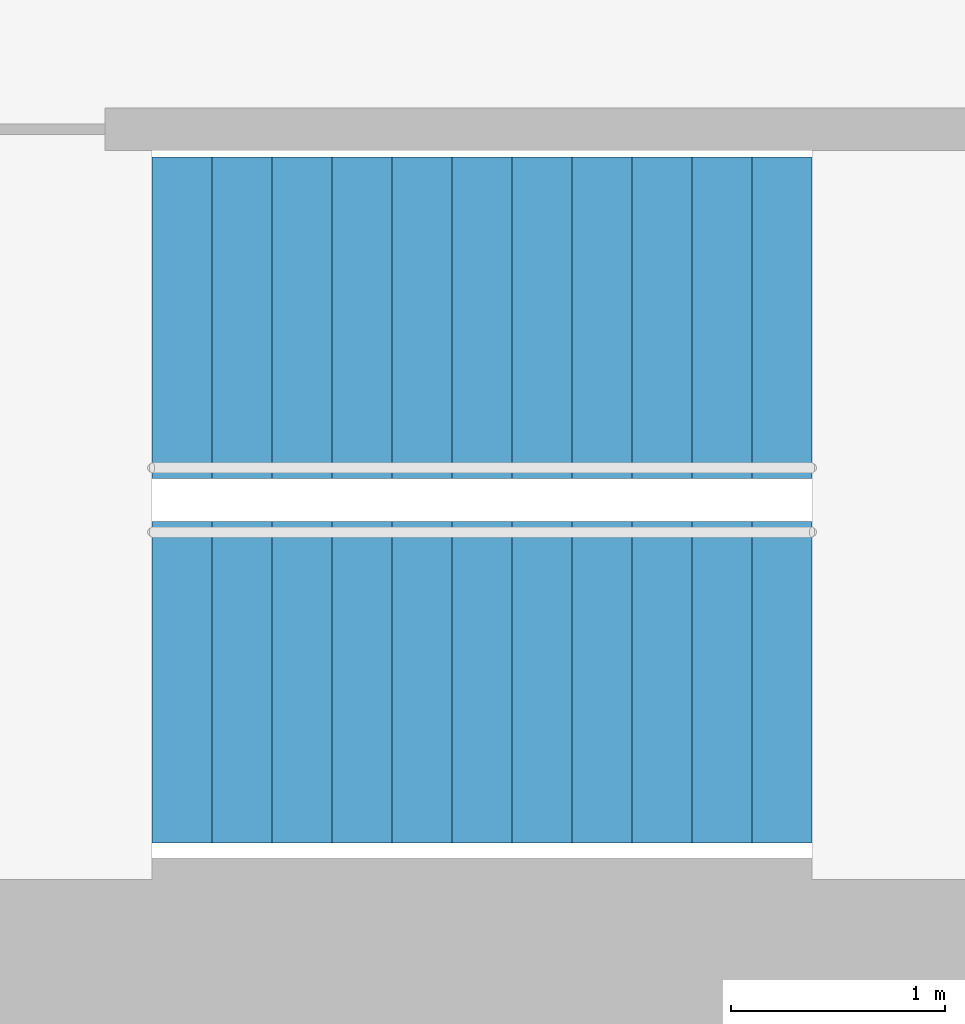
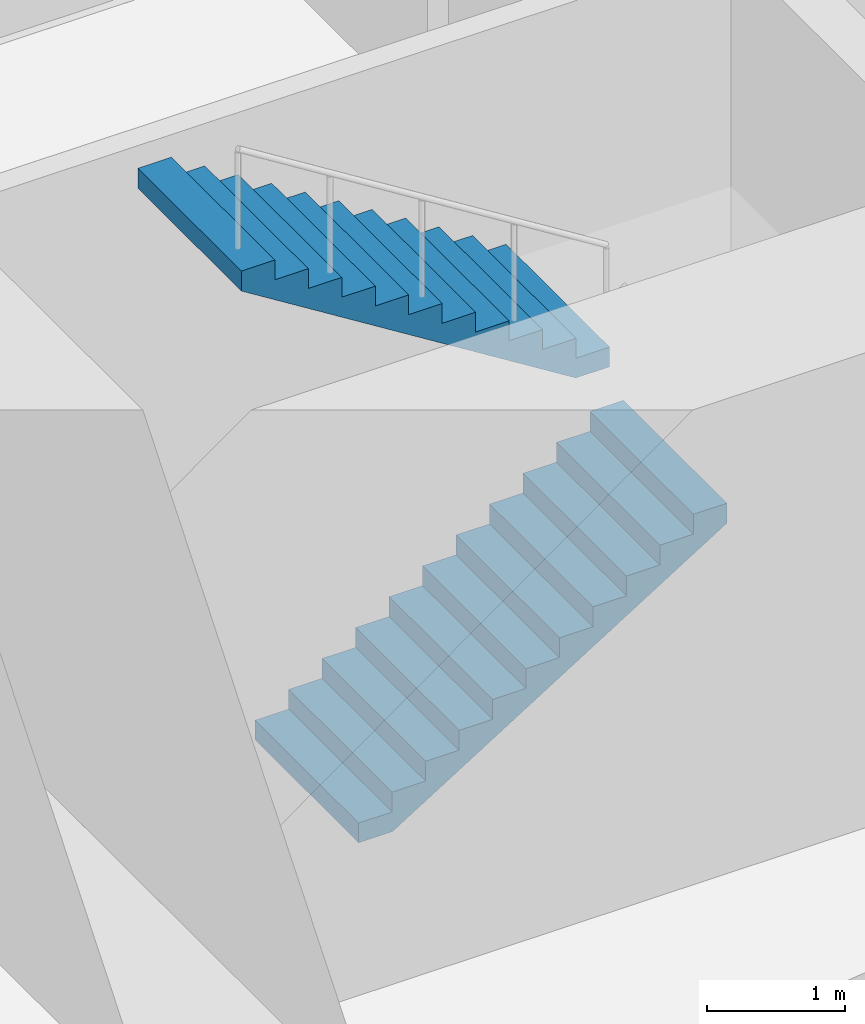
# One storey, part 16 of 18: 2 stair flights, 1 element without a shape of its own.
"""IFC4 building model written with IfcOpenShell, lengths in metres."""

from ifc_helpers import new_model, si_unit, direction, frame, origin, place, context, subcontext, project, spatial, triangles, material, type_object, element, aggregate, save


model = new_model("IFC4")

# Units and contexts
model_context = context("Model", 3, precision=1e-05, world=origin(), true_north=direction((0.0, 1.0)))
body_context = subcontext(model_context, "Body", "Model", "MODEL_VIEW")
ifc_project = project(units=[si_unit("LENGTHUNIT", "METRE"), si_unit("AREAUNIT", "SQUARE_METRE"), si_unit("VOLUMEUNIT", "CUBIC_METRE"), si_unit("PLANEANGLEUNIT", "RADIAN"), si_unit("MASSUNIT", "GRAM", prefix="KILO")], contexts=[model_context])

# Site, building, storey
site_placement = place(None, origin())
site = spatial("IfcSite", under=ifc_project, at=site_placement, CompositionType="ELEMENT")
building_placement = place(site_placement, origin())
building = spatial("IfcBuilding", under=site, at=building_placement, Name="Lantaw Convention Tower", CompositionType="ELEMENT")
storey_placement = place(building_placement, frame((0.0, 0.0, 130.0)))
storey = spatial("IfcBuildingStorey", under=building, at=storey_placement, Name="L30", CompositionType="ELEMENT", Elevation=130.0)

# Stair, stair flights
ifc_material = material(Name="Concrete C35/45", Category="concrete")
stair_type = type_object("IfcStairType", Name="Exit stair 1500 riser 175 in 2 flights", PredefinedType="HALF_TURN_STAIR", material=ifc_material)
stair_placement = place(storey_placement, origin())
stair = element("IfcStair", 1, at=stair_placement, inside=storey, type_object=stair_type, Name="Exit stair S1 L30", PredefinedType="HALF_TURN_STAIR")
stair_flight_type = type_object("IfcStairFlightType", Name="Stair flight 1500 riser 175", PredefinedType="STRAIGHT", material=ifc_material)
stair_flight_1_placement = place(storey_placement, frame((-10.580078125, -5.97998046875, 0.0), z_axis=(0.0, 0.0, 1.0), x_axis=(1.0, 0.0, 0.0)))
stair_flight_1 = element("IfcStairFlight", 2, at=stair_flight_1_placement, type_object=stair_flight_type, Name="S1 flight 1", NumberOfRisers=12, NumberOfTreads=11, PredefinedType="STRAIGHT", RiserHeight=0.175, TreadLength=0.28, context=body_context, shape_type="Tessellation", body=[
    triangles([(0.0, 0.75, 0.0), (0.0, 0.75, 0.175), (0.28, 0.75, 0.0), (0.28, 0.75, 0.175), (0.28, 0.75, 0.35), (0.28283517651771284, 0.75, 0.0), (0.28283517651771284, 0.75, 0.35), (0.56, 0.75, 0.17322801467642948), (0.56, 0.75, 0.35), (0.56, 0.75, 0.5249999999999999), (0.8400000000000001, 0.75, 0.34822801467642944), (0.8400000000000001, 0.75, 0.5249999999999999), (0.8400000000000001, 0.75, 0.7), (1.12, 0.75, 0.5232280146764294), (1.12, 0.75, 0.7), (1.12, 0.75, 0.875), (1.4000000000000001, 0.75, 0.6982280146764295), (1.4000000000000001, 0.75, 0.875), (1.4000000000000001, 0.75, 1.0499999999999998), (1.6800000000000002, 0.75, 0.8732280146764294), (1.6800000000000002, 0.75, 1.0499999999999998), (1.6800000000000002, 0.75, 1.2249999999999999), (1.9600000000000002, 0.75, 1.0482280146764293), (1.9600000000000002, 0.75, 1.2249999999999999), (1.9600000000000002, 0.75, 1.4), (2.24, 0.75, 1.2232280146764294), (2.24, 0.75, 1.4), (2.24, 0.75, 1.575), (2.5200000000000005, 0.75, 1.3982280146764294), (2.5200000000000005, 0.75, 1.575), (2.5200000000000005, 0.75, 1.75), (2.8000000000000003, 0.75, 1.5732280146764293), (2.8000000000000003, 0.75, 1.75), (2.8000000000000003, 0.75, 1.9249999999999998), (3.08, 0.75, 1.7482280146764293), (3.08, 0.75, 1.9249999999999998), (0.0, -0.75, 0.0), (0.0, -0.75, 0.175), (0.28, -0.75, 0.0), (0.28, -0.75, 0.175), (0.28, -0.75, 0.35), (0.28283517651771284, -0.75, 0.0), (0.28283517651771284, -0.75, 0.35), (0.56, -0.75, 0.17322801467642948), (0.56, -0.75, 0.35), (0.56, -0.75, 0.5249999999999999), (0.8400000000000001, -0.75, 0.34822801467642944), (0.8400000000000001, -0.75, 0.5249999999999999), (0.8400000000000001, -0.75, 0.7), (1.12, -0.75, 0.5232280146764294), (1.12, -0.75, 0.7), (1.12, -0.75, 0.875), (1.4000000000000001, -0.75, 0.6982280146764295), (1.4000000000000001, -0.75, 0.875), (1.4000000000000001, -0.75, 1.0499999999999998), (1.6800000000000002, -0.75, 0.8732280146764294), (1.6800000000000002, -0.75, 1.0499999999999998), (1.6800000000000002, -0.75, 1.2249999999999999), (1.9600000000000002, -0.75, 1.0482280146764293), (1.9600000000000002, -0.75, 1.2249999999999999), (1.9600000000000002, -0.75, 1.4), (2.24, -0.75, 1.2232280146764294), (2.24, -0.75, 1.4), (2.24, -0.75, 1.575), (2.5200000000000005, -0.75, 1.3982280146764294), (2.5200000000000005, -0.75, 1.575), (2.5200000000000005, -0.75, 1.75), (2.8000000000000003, -0.75, 1.5732280146764293), (2.8000000000000003, -0.75, 1.75), (2.8000000000000003, -0.75, 1.9249999999999998), (3.08, -0.75, 1.7482280146764293), (3.08, -0.75, 1.9249999999999998), (0.0, 0.15000000000000002, 0.175), (0.0, 0.15000000000000002, 0.0), (0.0, 0.0, 0.175), (0.0, 0.0, 0.0), (0.0, -0.15000000000000002, 0.175), (0.0, -0.15000000000000002, 0.0), (0.28, 0.15000000000000002, 0.35), (0.28, 0.15000000000000002, 0.175), (0.28, 0.0, 0.35), (0.28, 0.0, 0.175), (0.28, -0.15000000000000002, 0.35), (0.28, -0.15000000000000002, 0.175), (0.56, 0.15000000000000002, 0.5249999999999999), (0.56, 0.15000000000000002, 0.35), (0.56, 0.0, 0.5249999999999999), (0.56, 0.0, 0.35), (0.56, -0.15000000000000002, 0.5249999999999999), (0.56, -0.15000000000000002, 0.35), (0.8400000000000001, 0.15000000000000002, 0.7), (0.8400000000000001, 0.15000000000000002, 0.5249999999999999), (0.8400000000000001, 0.0, 0.7), (0.8400000000000001, 0.0, 0.5249999999999999), (0.8400000000000001, -0.15000000000000002, 0.7), (0.8400000000000001, -0.15000000000000002, 0.5249999999999999), (1.12, 0.15000000000000002, 0.875), (1.12, 0.15000000000000002, 0.7), (1.12, 0.0, 0.875), (1.12, 0.0, 0.7), (1.12, -0.15000000000000002, 0.875), (1.12, -0.15000000000000002, 0.7), (1.4000000000000001, 0.15000000000000002, 1.0499999999999998), (1.4000000000000001, 0.15000000000000002, 0.875), (1.4000000000000001, 0.0, 1.0499999999999998), (1.4000000000000001, 0.0, 0.875), (1.4000000000000001, -0.15000000000000002, 1.0499999999999998), (1.4000000000000001, -0.15000000000000002, 0.875), (1.6800000000000002, 0.15000000000000002, 1.2249999999999999), (1.6800000000000002, 0.15000000000000002, 1.0499999999999998), (1.6800000000000002, 0.0, 1.2249999999999999), (1.6800000000000002, 0.0, 1.0499999999999998), (1.6800000000000002, -0.15000000000000002, 1.2249999999999999), (1.6800000000000002, -0.15000000000000002, 1.0499999999999998), (1.9600000000000002, 0.15000000000000002, 1.4), (1.9600000000000002, 0.15000000000000002, 1.2249999999999999), (1.9600000000000002, 0.0, 1.4), (1.9600000000000002, 0.0, 1.2249999999999999), (1.9600000000000002, -0.15000000000000002, 1.4), (1.9600000000000002, -0.15000000000000002, 1.2249999999999999), (2.24, 0.15000000000000002, 1.575), (2.24, 0.15000000000000002, 1.4), (2.24, 0.0, 1.575), (2.24, 0.0, 1.4), (2.24, -0.15000000000000002, 1.575), (2.24, -0.15000000000000002, 1.4), (2.5200000000000005, 0.15000000000000002, 1.75), (2.5200000000000005, 0.15000000000000002, 1.575), (2.5200000000000005, 0.0, 1.75), (2.5200000000000005, 0.0, 1.575), (2.5200000000000005, -0.15000000000000002, 1.75), (2.5200000000000005, -0.15000000000000002, 1.575), (2.8000000000000003, 0.15000000000000002, 1.9249999999999998), (2.8000000000000003, 0.15000000000000002, 1.75), (2.8000000000000003, 0.0, 1.9249999999999998), (2.8000000000000003, 0.0, 1.75), (2.8000000000000003, -0.15000000000000002, 1.9249999999999998), (2.8000000000000003, -0.15000000000000002, 1.75), (0.28283517651771284, 0.15000000000000002, 0.35), (0.28283517651771284, 0.0, 0.35), (0.28283517651771284, -0.15000000000000002, 0.35), (3.08, 0.15000000000000002, 1.9249999999999998), (3.08, 0.0, 1.9249999999999998), (3.08, -0.15000000000000002, 1.9249999999999998), (3.08, 0.15000000000000002, 1.7482280146764293), (3.08, 0.0, 1.7482280146764293), (3.08, -0.15000000000000002, 1.7482280146764293), (2.8000000000000003, 0.15000000000000002, 1.5732280146764293), (2.8000000000000003, 0.0, 1.5732280146764293), (2.8000000000000003, -0.15000000000000002, 1.5732280146764293), (2.5200000000000005, 0.15000000000000002, 1.3982280146764294), (2.5200000000000005, 0.0, 1.3982280146764294), (2.5200000000000005, -0.15000000000000002, 1.3982280146764294), (2.24, 0.15000000000000002, 1.2232280146764294), (2.24, 0.0, 1.2232280146764294), (2.24, -0.15000000000000002, 1.2232280146764294), (1.9600000000000002, 0.15000000000000002, 1.0482280146764293), (1.9600000000000002, 0.0, 1.0482280146764293), (1.9600000000000002, -0.15000000000000002, 1.0482280146764293), (1.6800000000000002, 0.15000000000000002, 0.8732280146764294), (1.6800000000000002, 0.0, 0.8732280146764294), (1.6800000000000002, -0.15000000000000002, 0.8732280146764294), (1.4000000000000001, 0.15000000000000002, 0.6982280146764295), (1.4000000000000001, 0.0, 0.6982280146764295), (1.4000000000000001, -0.15000000000000002, 0.6982280146764295), (1.12, 0.15000000000000002, 0.5232280146764294), (1.12, 0.0, 0.5232280146764294), (1.12, -0.15000000000000002, 0.5232280146764294), (0.8400000000000001, 0.15000000000000002, 0.34822801467642944), (0.8400000000000001, 0.0, 0.34822801467642944), (0.8400000000000001, -0.15000000000000002, 0.34822801467642944), (0.56, 0.15000000000000002, 0.17322801467642948), (0.56, 0.0, 0.17322801467642948), (0.56, -0.15000000000000002, 0.17322801467642948), (0.28283517651771284, 0.15000000000000002, 0.0), (0.28283517651771284, 0.0, 0.0), (0.28283517651771284, -0.15000000000000002, 0.0), (0.28, 0.15000000000000002, 0.0), (0.28, 0.0, 0.0), (0.28, -0.15000000000000002, 0.0)], [[1, 4, 3], [1, 2, 4], [3, 4, 6], [4, 7, 6], [4, 5, 7], [6, 9, 8], [6, 7, 9], [8, 9, 11], [9, 12, 11], [9, 10, 12], [11, 12, 14], [12, 15, 14], [12, 13, 15], [14, 15, 17], [15, 18, 17], [15, 16, 18], [17, 18, 20], [18, 21, 20], [18, 19, 21], [20, 21, 23], [21, 24, 23], [21, 22, 24], [23, 24, 26], [24, 27, 26], [24, 25, 27], [26, 27, 29], [27, 30, 29], [27, 28, 30], [29, 30, 32], [30, 33, 32], [30, 31, 33], [32, 33, 35], [33, 36, 35], [33, 34, 36], [37, 39, 40], [37, 40, 38], [39, 42, 40], [40, 42, 43], [40, 43, 41], [42, 44, 45], [42, 45, 43], [44, 47, 45], [45, 47, 48], [45, 48, 46], [47, 50, 48], [48, 50, 51], [48, 51, 49], [50, 53, 51], [51, 53, 54], [51, 54, 52], [53, 56, 54], [54, 56, 57], [54, 57, 55], [56, 59, 57], [57, 59, 60], [57, 60, 58], [59, 62, 60], [60, 62, 63], [60, 63, 61], [62, 65, 63], [63, 65, 66], [63, 66, 64], [65, 68, 66], [66, 68, 69], [66, 69, 67], [68, 71, 69], [69, 71, 72], [69, 72, 70], [1, 73, 2], [1, 74, 73], [74, 75, 73], [74, 76, 75], [76, 77, 75], [76, 78, 77], [78, 38, 77], [78, 37, 38], [4, 79, 5], [4, 80, 79], [80, 81, 79], [80, 82, 81], [82, 83, 81], [82, 84, 83], [84, 41, 83], [84, 40, 41], [9, 85, 10], [9, 86, 85], [86, 87, 85], [86, 88, 87], [88, 89, 87], [88, 90, 89], [90, 46, 89], [90, 45, 46], [12, 91, 13], [12, 92, 91], [92, 93, 91], [92, 94, 93], [94, 95, 93], [94, 96, 95], [96, 49, 95], [96, 48, 49], [15, 97, 16], [15, 98, 97], [98, 99, 97], [98, 100, 99], [100, 101, 99], [100, 102, 101], [102, 52, 101], [102, 51, 52], [18, 103, 19], [18, 104, 103], [104, 105, 103], [104, 106, 105], [106, 107, 105], [106, 108, 107], [108, 55, 107], [108, 54, 55], [21, 109, 22], [21, 110, 109], [110, 111, 109], [110, 112, 111], [112, 113, 111], [112, 114, 113], [114, 58, 113], [114, 57, 58], [24, 115, 25], [24, 116, 115], [116, 117, 115], [116, 118, 117], [118, 119, 117], [118, 120, 119], [120, 61, 119], [120, 60, 61], [27, 121, 28], [27, 122, 121], [122, 123, 121], [122, 124, 123], [124, 125, 123], [124, 126, 125], [126, 64, 125], [126, 63, 64], [30, 127, 31], [30, 128, 127], [128, 129, 127], [128, 130, 129], [130, 131, 129], [130, 132, 131], [132, 67, 131], [132, 66, 67], [33, 133, 34], [33, 134, 133], [134, 135, 133], [134, 136, 135], [136, 137, 135], [136, 138, 137], [138, 70, 137], [138, 69, 70], [2, 80, 4], [2, 73, 80], [73, 82, 80], [73, 75, 82], [75, 84, 82], [75, 77, 84], [77, 40, 84], [77, 38, 40], [5, 139, 7], [5, 79, 139], [79, 140, 139], [79, 81, 140], [81, 141, 140], [81, 83, 141], [83, 43, 141], [83, 41, 43], [7, 86, 9], [7, 139, 86], [139, 88, 86], [139, 140, 88], [140, 90, 88], [140, 141, 90], [141, 45, 90], [141, 43, 45], [10, 92, 12], [10, 85, 92], [85, 94, 92], [85, 87, 94], [87, 96, 94], [87, 89, 96], [89, 48, 96], [89, 46, 48], [13, 98, 15], [13, 91, 98], [91, 100, 98], [91, 93, 100], [93, 102, 100], [93, 95, 102], [95, 51, 102], [95, 49, 51], [16, 104, 18], [16, 97, 104], [97, 106, 104], [97, 99, 106], [99, 108, 106], [99, 101, 108], [101, 54, 108], [101, 52, 54], [19, 110, 21], [19, 103, 110], [103, 112, 110], [103, 105, 112], [105, 114, 112], [105, 107, 114], [107, 57, 114], [107, 55, 57], [22, 116, 24], [22, 109, 116], [109, 118, 116], [109, 111, 118], [111, 120, 118], [111, 113, 120], [113, 60, 120], [113, 58, 60], [25, 122, 27], [25, 115, 122], [115, 124, 122], [115, 117, 124], [117, 126, 124], [117, 119, 126], [119, 63, 126], [119, 61, 63], [28, 128, 30], [28, 121, 128], [121, 130, 128], [121, 123, 130], [123, 132, 130], [123, 125, 132], [125, 66, 132], [125, 64, 66], [31, 134, 33], [31, 127, 134], [127, 136, 134], [127, 129, 136], [129, 138, 136], [129, 131, 138], [131, 69, 138], [131, 67, 69], [34, 142, 36], [34, 133, 142], [133, 143, 142], [133, 135, 143], [135, 144, 143], [135, 137, 144], [137, 72, 144], [137, 70, 72], [36, 145, 35], [36, 142, 145], [142, 146, 145], [142, 143, 146], [143, 147, 146], [143, 144, 147], [144, 71, 147], [144, 72, 71], [35, 148, 32], [35, 145, 148], [145, 149, 148], [145, 146, 149], [146, 150, 149], [146, 147, 150], [147, 68, 150], [147, 71, 68], [32, 151, 29], [32, 148, 151], [148, 152, 151], [148, 149, 152], [149, 153, 152], [149, 150, 153], [150, 65, 153], [150, 68, 65], [29, 154, 26], [29, 151, 154], [151, 155, 154], [151, 152, 155], [152, 156, 155], [152, 153, 156], [153, 62, 156], [153, 65, 62], [26, 157, 23], [26, 154, 157], [154, 158, 157], [154, 155, 158], [155, 159, 158], [155, 156, 159], [156, 59, 159], [156, 62, 59], [23, 160, 20], [23, 157, 160], [157, 161, 160], [157, 158, 161], [158, 162, 161], [158, 159, 162], [159, 56, 162], [159, 59, 56], [20, 163, 17], [20, 160, 163], [160, 164, 163], [160, 161, 164], [161, 165, 164], [161, 162, 165], [162, 53, 165], [162, 56, 53], [17, 166, 14], [17, 163, 166], [163, 167, 166], [163, 164, 167], [164, 168, 167], [164, 165, 168], [165, 50, 168], [165, 53, 50], [14, 169, 11], [14, 166, 169], [166, 170, 169], [166, 167, 170], [167, 171, 170], [167, 168, 171], [168, 47, 171], [168, 50, 47], [11, 172, 8], [11, 169, 172], [169, 173, 172], [169, 170, 173], [170, 174, 173], [170, 171, 174], [171, 44, 174], [171, 47, 44], [8, 175, 6], [8, 172, 175], [172, 176, 175], [172, 173, 176], [173, 177, 176], [173, 174, 177], [174, 42, 177], [174, 44, 42], [6, 178, 3], [6, 175, 178], [175, 179, 178], [175, 176, 179], [176, 180, 179], [176, 177, 180], [177, 39, 180], [177, 42, 39], [3, 74, 1], [3, 178, 74], [178, 76, 74], [178, 179, 76], [179, 78, 76], [179, 180, 78], [180, 37, 78], [180, 39, 37]], closed=True),
])
stair_flight_2_placement = place(storey_placement, frame((-7.5, -4.280029296875, 2.10009765625), z_axis=(0.0, 0.0, 1.0), x_axis=(-1.0, 0.0, 0.0)))
stair_flight_2 = element("IfcStairFlight", 3, at=stair_flight_2_placement, type_object=stair_flight_type, Name="S1 flight 2", NumberOfRisers=12, NumberOfTreads=11, PredefinedType="STRAIGHT", RiserHeight=0.175, TreadLength=0.28, context=body_context, shape_type="Tessellation", body=[
    triangles([(0.0, 0.75, 0.0), (0.0, 0.75, 0.175), (0.28, 0.75, 0.0), (0.28, 0.75, 0.175), (0.28, 0.75, 0.35), (0.28283517651771284, 0.75, 0.0), (0.28283517651771284, 0.75, 0.35), (0.56, 0.75, 0.17322801467642948), (0.56, 0.75, 0.35), (0.56, 0.75, 0.5249999999999999), (0.8400000000000001, 0.75, 0.34822801467642944), (0.8400000000000001, 0.75, 0.5249999999999999), (0.8400000000000001, 0.75, 0.7), (1.12, 0.75, 0.5232280146764294), (1.12, 0.75, 0.7), (1.12, 0.75, 0.875), (1.4000000000000001, 0.75, 0.6982280146764295), (1.4000000000000001, 0.75, 0.875), (1.4000000000000001, 0.75, 1.0499999999999998), (1.6800000000000002, 0.75, 0.8732280146764294), (1.6800000000000002, 0.75, 1.0499999999999998), (1.6800000000000002, 0.75, 1.2249999999999999), (1.9600000000000002, 0.75, 1.0482280146764293), (1.9600000000000002, 0.75, 1.2249999999999999), (1.9600000000000002, 0.75, 1.4), (2.24, 0.75, 1.2232280146764294), (2.24, 0.75, 1.4), (2.24, 0.75, 1.575), (2.5200000000000005, 0.75, 1.3982280146764294), (2.5200000000000005, 0.75, 1.575), (2.5200000000000005, 0.75, 1.75), (2.8000000000000003, 0.75, 1.5732280146764293), (2.8000000000000003, 0.75, 1.75), (2.8000000000000003, 0.75, 1.9249999999999998), (3.08, 0.75, 1.7482280146764293), (3.08, 0.75, 1.9249999999999998), (0.0, -0.75, 0.0), (0.0, -0.75, 0.175), (0.28, -0.75, 0.0), (0.28, -0.75, 0.175), (0.28, -0.75, 0.35), (0.28283517651771284, -0.75, 0.0), (0.28283517651771284, -0.75, 0.35), (0.56, -0.75, 0.17322801467642948), (0.56, -0.75, 0.35), (0.56, -0.75, 0.5249999999999999), (0.8400000000000001, -0.75, 0.34822801467642944), (0.8400000000000001, -0.75, 0.5249999999999999), (0.8400000000000001, -0.75, 0.7), (1.12, -0.75, 0.5232280146764294), (1.12, -0.75, 0.7), (1.12, -0.75, 0.875), (1.4000000000000001, -0.75, 0.6982280146764295), (1.4000000000000001, -0.75, 0.875), (1.4000000000000001, -0.75, 1.0499999999999998), (1.6800000000000002, -0.75, 0.8732280146764294), (1.6800000000000002, -0.75, 1.0499999999999998), (1.6800000000000002, -0.75, 1.2249999999999999), (1.9600000000000002, -0.75, 1.0482280146764293), (1.9600000000000002, -0.75, 1.2249999999999999), (1.9600000000000002, -0.75, 1.4), (2.24, -0.75, 1.2232280146764294), (2.24, -0.75, 1.4), (2.24, -0.75, 1.575), (2.5200000000000005, -0.75, 1.3982280146764294), (2.5200000000000005, -0.75, 1.575), (2.5200000000000005, -0.75, 1.75), (2.8000000000000003, -0.75, 1.5732280146764293), (2.8000000000000003, -0.75, 1.75), (2.8000000000000003, -0.75, 1.9249999999999998), (3.08, -0.75, 1.7482280146764293), (3.08, -0.75, 1.9249999999999998), (0.0, 0.15000000000000002, 0.175), (0.0, 0.15000000000000002, 0.0), (0.0, 0.0, 0.175), (0.0, 0.0, 0.0), (0.0, -0.15000000000000002, 0.175), (0.0, -0.15000000000000002, 0.0), (0.28, 0.15000000000000002, 0.35), (0.28, 0.15000000000000002, 0.175), (0.28, 0.0, 0.35), (0.28, 0.0, 0.175), (0.28, -0.15000000000000002, 0.35), (0.28, -0.15000000000000002, 0.175), (0.56, 0.15000000000000002, 0.5249999999999999), (0.56, 0.15000000000000002, 0.35), (0.56, 0.0, 0.5249999999999999), (0.56, 0.0, 0.35), (0.56, -0.15000000000000002, 0.5249999999999999), (0.56, -0.15000000000000002, 0.35), (0.8400000000000001, 0.15000000000000002, 0.7), (0.8400000000000001, 0.15000000000000002, 0.5249999999999999), (0.8400000000000001, 0.0, 0.7), (0.8400000000000001, 0.0, 0.5249999999999999), (0.8400000000000001, -0.15000000000000002, 0.7), (0.8400000000000001, -0.15000000000000002, 0.5249999999999999), (1.12, 0.15000000000000002, 0.875), (1.12, 0.15000000000000002, 0.7), (1.12, 0.0, 0.875), (1.12, 0.0, 0.7), (1.12, -0.15000000000000002, 0.875), (1.12, -0.15000000000000002, 0.7), (1.4000000000000001, 0.15000000000000002, 1.0499999999999998), (1.4000000000000001, 0.15000000000000002, 0.875), (1.4000000000000001, 0.0, 1.0499999999999998), (1.4000000000000001, 0.0, 0.875), (1.4000000000000001, -0.15000000000000002, 1.0499999999999998), (1.4000000000000001, -0.15000000000000002, 0.875), (1.6800000000000002, 0.15000000000000002, 1.2249999999999999), (1.6800000000000002, 0.15000000000000002, 1.0499999999999998), (1.6800000000000002, 0.0, 1.2249999999999999), (1.6800000000000002, 0.0, 1.0499999999999998), (1.6800000000000002, -0.15000000000000002, 1.2249999999999999), (1.6800000000000002, -0.15000000000000002, 1.0499999999999998), (1.9600000000000002, 0.15000000000000002, 1.4), (1.9600000000000002, 0.15000000000000002, 1.2249999999999999), (1.9600000000000002, 0.0, 1.4), (1.9600000000000002, 0.0, 1.2249999999999999), (1.9600000000000002, -0.15000000000000002, 1.4), (1.9600000000000002, -0.15000000000000002, 1.2249999999999999), (2.24, 0.15000000000000002, 1.575), (2.24, 0.15000000000000002, 1.4), (2.24, 0.0, 1.575), (2.24, 0.0, 1.4), (2.24, -0.15000000000000002, 1.575), (2.24, -0.15000000000000002, 1.4), (2.5200000000000005, 0.15000000000000002, 1.75), (2.5200000000000005, 0.15000000000000002, 1.575), (2.5200000000000005, 0.0, 1.75), (2.5200000000000005, 0.0, 1.575), (2.5200000000000005, -0.15000000000000002, 1.75), (2.5200000000000005, -0.15000000000000002, 1.575), (2.8000000000000003, 0.15000000000000002, 1.9249999999999998), (2.8000000000000003, 0.15000000000000002, 1.75), (2.8000000000000003, 0.0, 1.9249999999999998), (2.8000000000000003, 0.0, 1.75), (2.8000000000000003, -0.15000000000000002, 1.9249999999999998), (2.8000000000000003, -0.15000000000000002, 1.75), (0.28283517651771284, 0.15000000000000002, 0.35), (0.28283517651771284, 0.0, 0.35), (0.28283517651771284, -0.15000000000000002, 0.35), (3.08, 0.15000000000000002, 1.9249999999999998), (3.08, 0.0, 1.9249999999999998), (3.08, -0.15000000000000002, 1.9249999999999998), (3.08, 0.15000000000000002, 1.7482280146764293), (3.08, 0.0, 1.7482280146764293), (3.08, -0.15000000000000002, 1.7482280146764293), (2.8000000000000003, 0.15000000000000002, 1.5732280146764293), (2.8000000000000003, 0.0, 1.5732280146764293), (2.8000000000000003, -0.15000000000000002, 1.5732280146764293), (2.5200000000000005, 0.15000000000000002, 1.3982280146764294), (2.5200000000000005, 0.0, 1.3982280146764294), (2.5200000000000005, -0.15000000000000002, 1.3982280146764294), (2.24, 0.15000000000000002, 1.2232280146764294), (2.24, 0.0, 1.2232280146764294), (2.24, -0.15000000000000002, 1.2232280146764294), (1.9600000000000002, 0.15000000000000002, 1.0482280146764293), (1.9600000000000002, 0.0, 1.0482280146764293), (1.9600000000000002, -0.15000000000000002, 1.0482280146764293), (1.6800000000000002, 0.15000000000000002, 0.8732280146764294), (1.6800000000000002, 0.0, 0.8732280146764294), (1.6800000000000002, -0.15000000000000002, 0.8732280146764294), (1.4000000000000001, 0.15000000000000002, 0.6982280146764295), (1.4000000000000001, 0.0, 0.6982280146764295), (1.4000000000000001, -0.15000000000000002, 0.6982280146764295), (1.12, 0.15000000000000002, 0.5232280146764294), (1.12, 0.0, 0.5232280146764294), (1.12, -0.15000000000000002, 0.5232280146764294), (0.8400000000000001, 0.15000000000000002, 0.34822801467642944), (0.8400000000000001, 0.0, 0.34822801467642944), (0.8400000000000001, -0.15000000000000002, 0.34822801467642944), (0.56, 0.15000000000000002, 0.17322801467642948), (0.56, 0.0, 0.17322801467642948), (0.56, -0.15000000000000002, 0.17322801467642948), (0.28283517651771284, 0.15000000000000002, 0.0), (0.28283517651771284, 0.0, 0.0), (0.28283517651771284, -0.15000000000000002, 0.0), (0.28, 0.15000000000000002, 0.0), (0.28, 0.0, 0.0), (0.28, -0.15000000000000002, 0.0)], [[1, 4, 3], [1, 2, 4], [3, 4, 6], [4, 7, 6], [4, 5, 7], [6, 9, 8], [6, 7, 9], [8, 9, 11], [9, 12, 11], [9, 10, 12], [11, 12, 14], [12, 15, 14], [12, 13, 15], [14, 15, 17], [15, 18, 17], [15, 16, 18], [17, 18, 20], [18, 21, 20], [18, 19, 21], [20, 21, 23], [21, 24, 23], [21, 22, 24], [23, 24, 26], [24, 27, 26], [24, 25, 27], [26, 27, 29], [27, 30, 29], [27, 28, 30], [29, 30, 32], [30, 33, 32], [30, 31, 33], [32, 33, 35], [33, 36, 35], [33, 34, 36], [37, 39, 40], [37, 40, 38], [39, 42, 40], [40, 42, 43], [40, 43, 41], [42, 44, 45], [42, 45, 43], [44, 47, 45], [45, 47, 48], [45, 48, 46], [47, 50, 48], [48, 50, 51], [48, 51, 49], [50, 53, 51], [51, 53, 54], [51, 54, 52], [53, 56, 54], [54, 56, 57], [54, 57, 55], [56, 59, 57], [57, 59, 60], [57, 60, 58], [59, 62, 60], [60, 62, 63], [60, 63, 61], [62, 65, 63], [63, 65, 66], [63, 66, 64], [65, 68, 66], [66, 68, 69], [66, 69, 67], [68, 71, 69], [69, 71, 72], [69, 72, 70], [1, 73, 2], [1, 74, 73], [74, 75, 73], [74, 76, 75], [76, 77, 75], [76, 78, 77], [78, 38, 77], [78, 37, 38], [4, 79, 5], [4, 80, 79], [80, 81, 79], [80, 82, 81], [82, 83, 81], [82, 84, 83], [84, 41, 83], [84, 40, 41], [9, 85, 10], [9, 86, 85], [86, 87, 85], [86, 88, 87], [88, 89, 87], [88, 90, 89], [90, 46, 89], [90, 45, 46], [12, 91, 13], [12, 92, 91], [92, 93, 91], [92, 94, 93], [94, 95, 93], [94, 96, 95], [96, 49, 95], [96, 48, 49], [15, 97, 16], [15, 98, 97], [98, 99, 97], [98, 100, 99], [100, 101, 99], [100, 102, 101], [102, 52, 101], [102, 51, 52], [18, 103, 19], [18, 104, 103], [104, 105, 103], [104, 106, 105], [106, 107, 105], [106, 108, 107], [108, 55, 107], [108, 54, 55], [21, 109, 22], [21, 110, 109], [110, 111, 109], [110, 112, 111], [112, 113, 111], [112, 114, 113], [114, 58, 113], [114, 57, 58], [24, 115, 25], [24, 116, 115], [116, 117, 115], [116, 118, 117], [118, 119, 117], [118, 120, 119], [120, 61, 119], [120, 60, 61], [27, 121, 28], [27, 122, 121], [122, 123, 121], [122, 124, 123], [124, 125, 123], [124, 126, 125], [126, 64, 125], [126, 63, 64], [30, 127, 31], [30, 128, 127], [128, 129, 127], [128, 130, 129], [130, 131, 129], [130, 132, 131], [132, 67, 131], [132, 66, 67], [33, 133, 34], [33, 134, 133], [134, 135, 133], [134, 136, 135], [136, 137, 135], [136, 138, 137], [138, 70, 137], [138, 69, 70], [2, 80, 4], [2, 73, 80], [73, 82, 80], [73, 75, 82], [75, 84, 82], [75, 77, 84], [77, 40, 84], [77, 38, 40], [5, 139, 7], [5, 79, 139], [79, 140, 139], [79, 81, 140], [81, 141, 140], [81, 83, 141], [83, 43, 141], [83, 41, 43], [7, 86, 9], [7, 139, 86], [139, 88, 86], [139, 140, 88], [140, 90, 88], [140, 141, 90], [141, 45, 90], [141, 43, 45], [10, 92, 12], [10, 85, 92], [85, 94, 92], [85, 87, 94], [87, 96, 94], [87, 89, 96], [89, 48, 96], [89, 46, 48], [13, 98, 15], [13, 91, 98], [91, 100, 98], [91, 93, 100], [93, 102, 100], [93, 95, 102], [95, 51, 102], [95, 49, 51], [16, 104, 18], [16, 97, 104], [97, 106, 104], [97, 99, 106], [99, 108, 106], [99, 101, 108], [101, 54, 108], [101, 52, 54], [19, 110, 21], [19, 103, 110], [103, 112, 110], [103, 105, 112], [105, 114, 112], [105, 107, 114], [107, 57, 114], [107, 55, 57], [22, 116, 24], [22, 109, 116], [109, 118, 116], [109, 111, 118], [111, 120, 118], [111, 113, 120], [113, 60, 120], [113, 58, 60], [25, 122, 27], [25, 115, 122], [115, 124, 122], [115, 117, 124], [117, 126, 124], [117, 119, 126], [119, 63, 126], [119, 61, 63], [28, 128, 30], [28, 121, 128], [121, 130, 128], [121, 123, 130], [123, 132, 130], [123, 125, 132], [125, 66, 132], [125, 64, 66], [31, 134, 33], [31, 127, 134], [127, 136, 134], [127, 129, 136], [129, 138, 136], [129, 131, 138], [131, 69, 138], [131, 67, 69], [34, 142, 36], [34, 133, 142], [133, 143, 142], [133, 135, 143], [135, 144, 143], [135, 137, 144], [137, 72, 144], [137, 70, 72], [36, 145, 35], [36, 142, 145], [142, 146, 145], [142, 143, 146], [143, 147, 146], [143, 144, 147], [144, 71, 147], [144, 72, 71], [35, 148, 32], [35, 145, 148], [145, 149, 148], [145, 146, 149], [146, 150, 149], [146, 147, 150], [147, 68, 150], [147, 71, 68], [32, 151, 29], [32, 148, 151], [148, 152, 151], [148, 149, 152], [149, 153, 152], [149, 150, 153], [150, 65, 153], [150, 68, 65], [29, 154, 26], [29, 151, 154], [151, 155, 154], [151, 152, 155], [152, 156, 155], [152, 153, 156], [153, 62, 156], [153, 65, 62], [26, 157, 23], [26, 154, 157], [154, 158, 157], [154, 155, 158], [155, 159, 158], [155, 156, 159], [156, 59, 159], [156, 62, 59], [23, 160, 20], [23, 157, 160], [157, 161, 160], [157, 158, 161], [158, 162, 161], [158, 159, 162], [159, 56, 162], [159, 59, 56], [20, 163, 17], [20, 160, 163], [160, 164, 163], [160, 161, 164], [161, 165, 164], [161, 162, 165], [162, 53, 165], [162, 56, 53], [17, 166, 14], [17, 163, 166], [163, 167, 166], [163, 164, 167], [164, 168, 167], [164, 165, 168], [165, 50, 168], [165, 53, 50], [14, 169, 11], [14, 166, 169], [166, 170, 169], [166, 167, 170], [167, 171, 170], [167, 168, 171], [168, 47, 171], [168, 50, 47], [11, 172, 8], [11, 169, 172], [169, 173, 172], [169, 170, 173], [170, 174, 173], [170, 171, 174], [171, 44, 174], [171, 47, 44], [8, 175, 6], [8, 172, 175], [172, 176, 175], [172, 173, 176], [173, 177, 176], [173, 174, 177], [174, 42, 177], [174, 44, 42], [6, 178, 3], [6, 175, 178], [175, 179, 178], [175, 176, 179], [176, 180, 179], [176, 177, 180], [177, 39, 180], [177, 42, 39], [3, 74, 1], [3, 178, 74], [178, 76, 74], [178, 179, 76], [179, 78, 76], [179, 180, 78], [180, 37, 78], [180, 39, 37]], closed=True),
])
aggregate(stair, [stair_flight_1, stair_flight_2])

save(model, "model.ifc")
